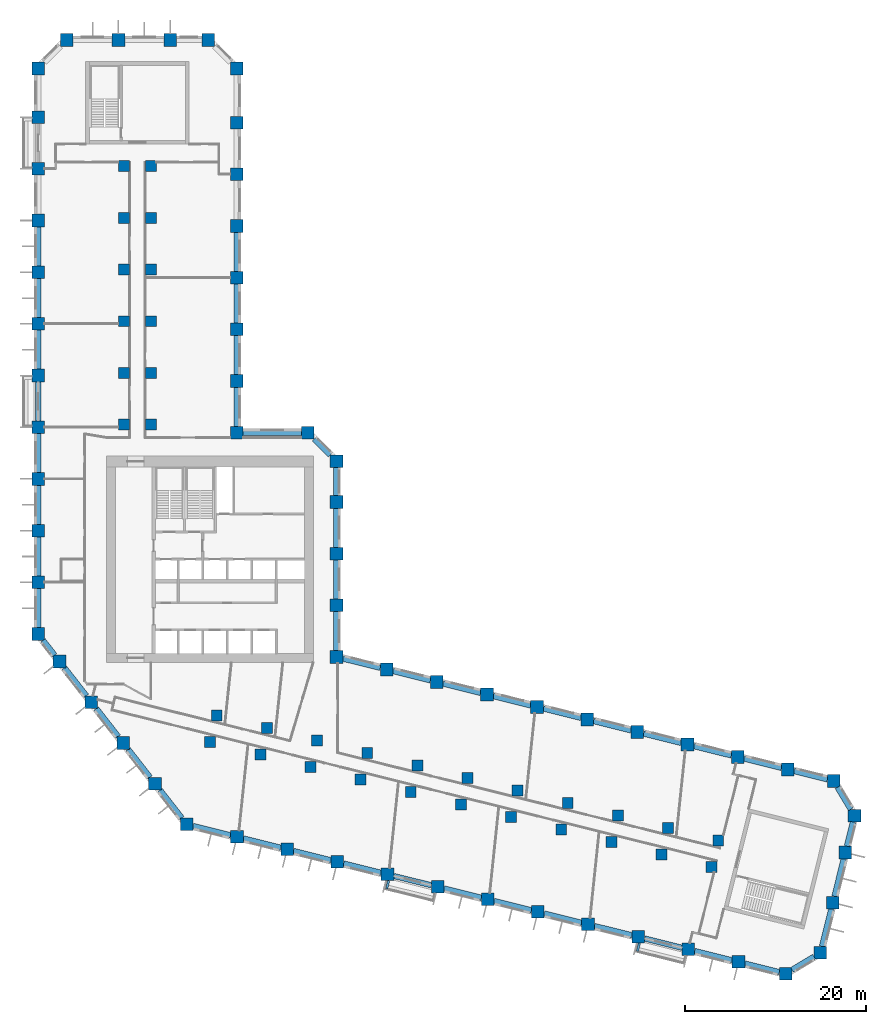
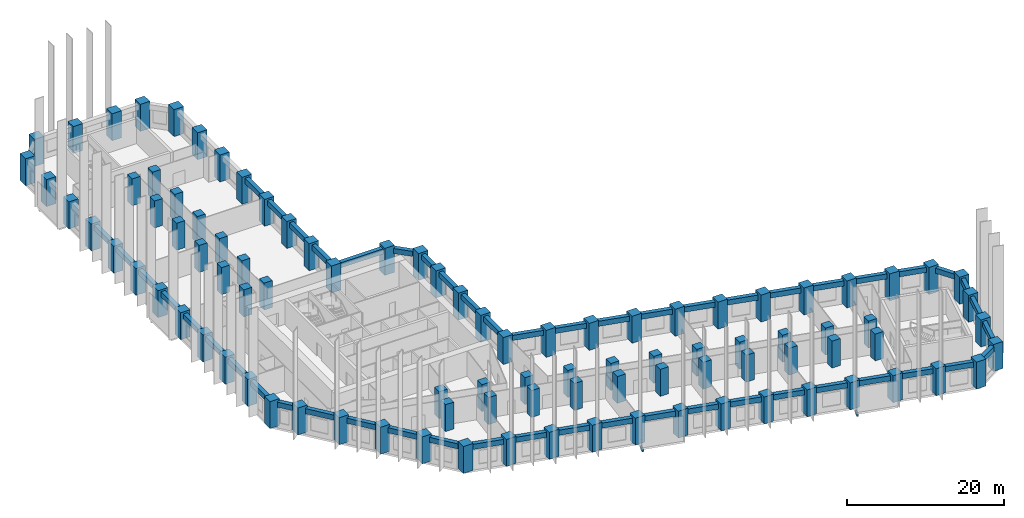
# One storey, part 1 of 11: 95 columns, 52 beams.
"""IFC4 building model written with IfcOpenShell, lengths in metres."""

from ifc_helpers import new_model, si_unit, direction, frame, origin, origin_2d, place, context, subcontext, project, spatial, rectangle, extrude, material, material_profile, profile_set, type_object, element, save


model = new_model("IFC4")

# Units and contexts
model_context = context("Model", 3, precision=1e-05, world=origin(), true_north=direction((0.0, 1.0)))
body_context = subcontext(model_context, "Body", "Model", "MODEL_VIEW")
ifc_project = project(units=[si_unit("LENGTHUNIT", "METRE"), si_unit("AREAUNIT", "SQUARE_METRE"), si_unit("VOLUMEUNIT", "CUBIC_METRE"), si_unit("PLANEANGLEUNIT", "RADIAN"), si_unit("MASSUNIT", "GRAM", prefix="KILO")], contexts=[model_context])

# Site, building, storey
site_placement = place(None, origin())
site = spatial("IfcSite", under=ifc_project, at=site_placement, CompositionType="ELEMENT")
building_placement = place(site_placement, origin())
building = spatial("IfcBuilding", under=site, at=building_placement, Name="Meshkara Civic Tower", CompositionType="ELEMENT")
storey_placement = place(building_placement, frame((0.0, 0.0, 49.800048828125)))
storey = spatial("IfcBuildingStorey", under=building, at=storey_placement, Name="L10", CompositionType="ELEMENT", Elevation=49.800048828125)

# Columns
ifc_material_1 = material(Name="Concrete C80", Category="concrete")
ifc_material_profile_1 = material_profile(ifc_material_1, rectangle(XDim=1.199951171875, YDim=1.199951171875, at=origin_2d()))
ifc_profile_set_1 = profile_set([ifc_material_profile_1], Name="Concrete C80")
column_type_1 = type_object("IfcColumnType", Name="Interior column RC 1200x1200 C80", PredefinedType="COLUMN", material=ifc_profile_set_1)
for number, where, z_axis, x_axis, name in (
    (1, (9.89990234375, 40.35009765625, 0.0), (0.0, 0.0, 1.0), (1.0, 0.0, 0.0), "Column SA1-04 L10"),
    (2, (9.89990234375, 46.050048828125, 0.0), (0.0, 0.0, 1.0), (1.0, 0.0, 0.0), "Column SA1-05 L10"),
    (3, (9.89990234375, 51.75, 0.0), (0.0, 0.0, 1.0), (1.0, 0.0, 0.0), "Column SA1-06 L10"),
    (4, (9.89990234375, 57.449951171875, 0.0), (0.0, 0.0, 1.0), (1.0, 0.0, 0.0), "Column SA1-07 L10"),
    (5, (9.89990234375, 63.14990234375, 0.0), (0.0, 0.0, 1.0), (1.0, 0.0, 0.0), "Column SA1-08 L10"),
    (6, (9.89990234375, 68.85009765625, 0.0), (0.0, 0.0, 1.0), (1.0, 0.0, 0.0), "Column SA1-09 L10"),
    (7, (12.89990234375, 40.35009765625, 0.0), (0.0, 0.0, 1.0), (1.0, 0.0, 0.0), "Column SA2-04 L10"),
    (8, (12.89990234375, 46.050048828125, 0.0), (0.0, 0.0, 1.0), (1.0, 0.0, 0.0), "Column SA2-05 L10"),
    (9, (12.89990234375, 51.75, 0.0), (0.0, 0.0, 1.0), (1.0, 0.0, 0.0), "Column SA2-06 L10"),
    (10, (12.89990234375, 57.449951171875, 0.0), (0.0, 0.0, 1.0), (1.0, 0.0, 0.0), "Column SA2-07 L10"),
    (11, (12.89990234375, 63.14990234375, 0.0), (0.0, 0.0, 1.0), (1.0, 0.0, 0.0), "Column SA2-08 L10"),
    (12, (12.89990234375, 68.85009765625, 0.0), (0.0, 0.0, 1.0), (1.0, 0.0, 0.0), "Column SA2-09 L10"),
    (13, (19.424072265625, 5.360107421875, 0.0), (0.0, 0.0, 1.0), (1.0, 0.0, 0.0), "Column SB1-00 L10"),
    (14, (24.9541015625, 3.98095703125, 0.0), (0.0, 0.0, 1.0), (1.0, 0.0, 0.0), "Column SB1-01 L10"),
    (15, (30.485107421875, 2.60205078125, 0.0), (0.0, 0.0, 1.0), (1.0, 0.0, 0.0), "Column SB1-02 L10"),
    (16, (36.01611328125, 1.222900390625, 0.0), (0.0, 0.0, 1.0), (1.0, 0.0, 0.0), "Column SB1-03 L10"),
    (17, (41.5458984375, -0.156005859375, 0.0), (0.0, 0.0, 1.0), (1.0, 0.0, 0.0), "Column SB1-04 L10"),
    (18, (47.076904296875, -1.534912109375, 0.0), (0.0, 0.0, 1.0), (1.0, 0.0, 0.0), "Column SB1-05 L10"),
    (19, (52.60791015625, -2.9140625, 0.0), (0.0, 0.0, 1.0), (1.0, 0.0, 0.0), "Column SB1-06 L10"),
    (20, (58.138916015625, -4.2919921875, 0.0), (0.0, 0.0, 1.0), (1.0, 0.0, 0.0), "Column SB1-07 L10"),
    (21, (63.6689453125, -5.6708984375, 0.0), (0.0, 0.0, 1.0), (1.0, 0.0, 0.0), "Column SB1-08 L10"),
    (22, (69.199951171875, -7.050048828125, 0.0), (0.0, 0.0, 1.0), (1.0, 0.0, 0.0), "Column SB1-09 L10"),
    (23, (74.73095703125, -8.428955078125, 0.0), (0.0, 0.0, 1.0), (1.0, 0.0, 0.0), "Column SB1-10 L10"),
    (24, (20.14892578125, 8.27099609375, 0.0), (0.0, 0.0, 1.0), (1.0, 0.0, 0.0), "Column SB2-00 L10"),
    (25, (25.679931640625, 6.89208984375, 0.0), (0.0, 0.0, 1.0), (1.0, 0.0, 0.0), "Column SB2-01 L10"),
    (26, (31.2109375, 5.512939453125, 0.0), (0.0, 0.0, 1.0), (1.0, 0.0, 0.0), "Column SB2-02 L10"),
    (27, (36.741943359375, 4.134033203125, 0.0), (0.0, 0.0, 1.0), (1.0, 0.0, 0.0), "Column SB2-03 L10"),
    (28, (42.27197265625, 2.7548828125, 0.0), (0.0, 0.0, 1.0), (1.0, 0.0, 0.0), "Column SB2-04 L10"),
    (29, (47.802978515625, 1.3759765625, 0.0), (0.0, 0.0, 1.0), (1.0, 0.0, 0.0), "Column SB2-05 L10"),
    (30, (53.333984375, -0.0029296875, 0.0), (0.0, 0.0, 1.0), (1.0, 0.0, 0.0), "Column SB2-06 L10"),
    (31, (58.864013671875, -1.382080078125, 0.0), (0.0, 0.0, 1.0), (1.0, 0.0, 0.0), "Column SB2-07 L10"),
    (32, (64.39501953125, -2.760986328125, 0.0), (0.0, 0.0, 1.0), (1.0, 0.0, 0.0), "Column SB2-08 L10"),
    (33, (69.926025390625, -4.139892578125, 0.0), (0.0, 0.0, 1.0), (1.0, 0.0, 0.0), "Column SB2-09 L10"),
    (34, (75.4560546875, -5.51806640625, 0.0), (0.0, 0.0, 1.0), (1.0, 0.0, 0.0), "Column SB2-10 L10"),
):
    element("IfcColumn", number, at=place(storey_placement, frame(where, z_axis=z_axis, x_axis=x_axis)), inside=storey, type_object=column_type_1, Name=name, PredefinedType="COLUMN", context=body_context, shape_type="SweptSolid", body=[
        extrude(rectangle(XDim=1.199951171875, YDim=1.199951171875, at=origin_2d()), origin(), (0.0, 0.0, 1.0), 4.199951171875),
    ])
ifc_material_2 = material(Name="Concrete C80", Category="concrete")
ifc_material_profile_2 = material_profile(ifc_material_2, rectangle(XDim=1.39990234375, YDim=1.39990234375, at=origin_2d()))
ifc_profile_set_2 = profile_set([ifc_material_profile_2], Name="Concrete C80")
column_type_2 = type_object("IfcColumnType", Name="Perimeter column RC 1400x1400 C80", PredefinedType="COLUMN", material=ifc_profile_set_2)
for number, where, z_axis, x_axis, name in (
    (35, (33.35009765625, 14.718994140625, 0.0), (0.0, 0.0, 1.0), (1.0, 0.0, 0.0), "Column HE00 L10"),
    (36, (33.35009765625, 20.4189453125, 0.0), (0.0, 0.0, 1.0), (1.0, 0.0, 0.0), "Column HE01 L10"),
    (37, (33.35009765625, 26.118896484375, 0.0), (0.0, 0.0, 1.0), (1.0, 0.0, 0.0), "Column HE02 L10"),
    (38, (33.35009765625, 31.819091796875, 0.0), (0.0, 0.0, 1.0), (1.0, 0.0, 0.0), "Column HE03 L10"),
    (39, (33.35009765625, 36.2939453125, 0.0), (0.0, 0.0, 1.0), (1.0, 0.0, 0.0), "Column HEE L10"),
    (40, (30.194091796875, 39.449951171875, 0.0), (0.0, 0.0, 1.0), (1.0, 0.0, 0.0), "Column HCeE L10"),
    (41, (22.35009765625, 39.449951171875, 0.0), (0.0, 0.0, 1.0), (1.0, 0.0, 0.0), "Column HN00 L10"),
    (42, (22.35009765625, 45.14990234375, 0.0), (0.0, 0.0, 1.0), (1.0, 0.0, 0.0), "Column AE01 L10"),
    (43, (22.35009765625, 50.85009765625, 0.0), (0.0, 0.0, 1.0), (1.0, 0.0, 0.0), "Column AE02 L10"),
    (44, (22.35009765625, 56.550048828125, 0.0), (0.0, 0.0, 1.0), (1.0, 0.0, 0.0), "Column AE03 L10"),
    (45, (22.35009765625, 62.25, 0.0), (0.0, 0.0, 1.0), (1.0, 0.0, 0.0), "Column AE04 L10"),
    (46, (22.35009765625, 67.949951171875, 0.0), (0.0, 0.0, 1.0), (1.0, 0.0, 0.0), "Column AE05 L10"),
    (47, (22.35009765625, 73.64990234375, 0.0), (0.0, 0.0, 1.0), (1.0, 0.0, 0.0), "Column AE06 L10"),
    (48, (22.35009765625, 79.614013671875, 0.0), (0.0, 0.0, 1.0), (1.0, 0.0, 0.0), "Column AEE L10"),
    (49, (19.194091796875, 82.77001953125, 0.0), (0.0, 0.0, 1.0), (1.0, 0.0, 0.0), "Column ATiE L10"),
    (50, (3.60595703125, 82.77001953125, 0.0), (0.0, 0.0, 1.0), (1.0, 0.0, 0.0), "Column AT00 L10"),
    (51, (9.305908203125, 82.77001953125, 0.0), (0.0, 0.0, 1.0), (1.0, 0.0, 0.0), "Column AT01 L10"),
    (52, (15.006103515625, 82.77001953125, 0.0), (0.0, 0.0, 1.0), (1.0, 0.0, 0.0), "Column AT02 L10"),
    (53, (0.449951171875, 79.614013671875, 0.0), (0.0, 0.0, 1.0), (1.0, 0.0, 0.0), "Column ATo00 L10"),
    (54, (0.449951171875, 17.2548828125, 0.0), (0.0, 0.0, 1.0), (1.0, 0.0, 0.0), "Column AW00 L10"),
    (55, (0.449951171875, 22.955078125, 0.0), (0.0, 0.0, 1.0), (1.0, 0.0, 0.0), "Column AW01 L10"),
    (56, (0.449951171875, 28.655029296875, 0.0), (0.0, 0.0, 1.0), (1.0, 0.0, 0.0), "Column AW02 L10"),
    (57, (0.449951171875, 34.35498046875, 0.0), (0.0, 0.0, 1.0), (1.0, 0.0, 0.0), "Column AW03 L10"),
    (58, (0.449951171875, 40.054931640625, 0.0), (0.0, 0.0, 1.0), (1.0, 0.0, 0.0), "Column AW04 L10"),
    (59, (0.449951171875, 45.7548828125, 0.0), (0.0, 0.0, 1.0), (1.0, 0.0, 0.0), "Column AW05 L10"),
    (60, (0.449951171875, 51.455078125, 0.0), (0.0, 0.0, 1.0), (1.0, 0.0, 0.0), "Column AW06 L10"),
    (61, (0.449951171875, 57.155029296875, 0.0), (0.0, 0.0, 1.0), (1.0, 0.0, 0.0), "Column AW07 L10"),
    (62, (0.449951171875, 62.85498046875, 0.0), (0.0, 0.0, 1.0), (1.0, 0.0, 0.0), "Column AW08 L10"),
    (63, (0.449951171875, 68.554931640625, 0.0), (0.0, 0.0, 1.0), (1.0, 0.0, 0.0), "Column AW09 L10"),
    (64, (0.449951171875, 74.2548828125, 0.0), (0.0, 0.0, 1.0), (1.0, 0.0, 0.0), "Column AW10 L10"),
    (65, (16.85107421875, -3.738037109375, 0.0), (0.0, 0.0, 1.0), (1.0, 0.0, 0.0), "Column BOW00 L10"),
    (66, (13.342041015625, 0.75390625, 0.0), (0.0, 0.0, 1.0), (1.0, 0.0, 0.0), "Column BOW01 L10"),
    (67, (9.8330078125, 5.2451171875, 0.0), (0.0, 0.0, 1.0), (1.0, 0.0, 0.0), "Column BOW02 L10"),
    (68, (6.322998046875, 9.737060546875, 0.0), (0.0, 0.0, 1.0), (1.0, 0.0, 0.0), "Column BOW03 L10"),
    (69, (2.81396484375, 14.22900390625, 0.0), (0.0, 0.0, 1.0), (1.0, 0.0, 0.0), "Column BOW04 L10"),
    (70, (22.382080078125, -5.116943359375, 0.0), (0.0, 0.0, 1.0), (1.0, 0.0, 0.0), "Column BS01 L10"),
    (71, (27.912109375, -6.49609375, 0.0), (0.0, 0.0, 1.0), (1.0, 0.0, 0.0), "Column BS02 L10"),
    (72, (33.443115234375, -7.875, 0.0), (0.0, 0.0, 1.0), (1.0, 0.0, 0.0), "Column BS03 L10"),
    (73, (38.97412109375, -9.25390625, 0.0), (0.0, 0.0, 1.0), (1.0, 0.0, 0.0), "Column BS04 L10"),
    (74, (44.5048828125, -10.632080078125, 0.0), (0.0, 0.0, 1.0), (1.0, 0.0, 0.0), "Column BS05 L10"),
    (75, (50.034912109375, -12.010986328125, 0.0), (0.0, 0.0, 1.0), (1.0, 0.0, 0.0), "Column BS06 L10"),
    (76, (55.56591796875, -13.389892578125, 0.0), (0.0, 0.0, 1.0), (1.0, 0.0, 0.0), "Column BS07 L10"),
    (77, (61.096923828125, -14.76904296875, 0.0), (0.0, 0.0, 1.0), (1.0, 0.0, 0.0), "Column BS08 L10"),
    (78, (66.626953125, -16.14794921875, 0.0), (0.0, 0.0, 1.0), (1.0, 0.0, 0.0), "Column BS09 L10"),
    (79, (72.157958984375, -17.527099609375, 0.0), (0.0, 0.0, 1.0), (1.0, 0.0, 0.0), "Column BS10 L10"),
    (80, (77.68896484375, -18.906005859375, 0.0), (0.0, 0.0, 1.0), (1.0, 0.0, 0.0), "Column BS11 L10"),
    (81, (82.887939453125, -20.201904296875, 0.0), (0.0, 0.0, 1.0), (1.0, 0.0, 0.0), "Column BSE L10"),
    (82, (86.714111328125, -17.903076171875, 0.0), (0.0, 0.0, 1.0), (1.0, 0.0, 0.0), "Column BToE L10"),
    (83, (88.093017578125, -12.3720703125, 0.0), (0.0, 0.0, 1.0), (1.0, 0.0, 0.0), "Column BT01 L10"),
    (84, (89.471923828125, -6.842041015625, 0.0), (0.0, 0.0, 1.0), (1.0, 0.0, 0.0), "Column BT02 L10"),
    (85, (90.485107421875, -2.779052734375, 0.0), (0.0, 0.0, 1.0), (1.0, 0.0, 0.0), "Column BTE L10"),
    (86, (88.18603515625, 1.0458984375, 0.0), (0.0, 0.0, 1.0), (1.0, 0.0, 0.0), "Column BTi00 L10"),
    (87, (38.881103515625, 13.340087890625, 0.0), (0.0, 0.0, 1.0), (1.0, 0.0, 0.0), "Column BN01 L10"),
    (88, (44.410888671875, 11.9609375, 0.0), (0.0, 0.0, 1.0), (1.0, 0.0, 0.0), "Column BN02 L10"),
    (89, (49.94189453125, 10.58203125, 0.0), (0.0, 0.0, 1.0), (1.0, 0.0, 0.0), "Column BN03 L10"),
    (90, (55.472900390625, 9.202880859375, 0.0), (0.0, 0.0, 1.0), (1.0, 0.0, 0.0), "Column BN04 L10"),
    (91, (61.0029296875, 7.823974609375, 0.0), (0.0, 0.0, 1.0), (1.0, 0.0, 0.0), "Column BN05 L10"),
    (92, (66.533935546875, 6.445068359375, 0.0), (0.0, 0.0, 1.0), (1.0, 0.0, 0.0), "Column BN06 L10"),
    (93, (72.06494140625, 5.06591796875, 0.0), (0.0, 0.0, 1.0), (1.0, 0.0, 0.0), "Column BN07 L10"),
    (94, (77.594970703125, 3.68701171875, 0.0), (0.0, 0.0, 1.0), (1.0, 0.0, 0.0), "Column BN08 L10"),
    (95, (83.1259765625, 2.30810546875, 0.0), (0.0, 0.0, 1.0), (1.0, 0.0, 0.0), "Column BN09 L10"),
):
    element("IfcColumn", number, at=place(storey_placement, frame(where, z_axis=z_axis, x_axis=x_axis)), inside=storey, type_object=column_type_2, Name=name, PredefinedType="COLUMN", context=body_context, shape_type="SweptSolid", body=[
        extrude(rectangle(XDim=1.39990234375, YDim=1.39990234375, at=origin_2d()), origin(), (0.0, 0.0, 1.0), 4.199951171875),
    ])

# Beams
ifc_material_3 = material(Name="Concrete C50", Category="concrete")
ifc_material_profile_3 = material_profile(ifc_material_3, rectangle(XDim=0.25, YDim=0.39990234375, at=origin_2d()))
ifc_profile_set_3 = profile_set([ifc_material_profile_3], Name="Concrete C50")
beam_type_1 = type_object("IfcBeamType", Name="Balcony bracket beam RC 250x400 C50", PredefinedType="BEAM", material=ifc_profile_set_3)
beam_1_placement = place(storey_placement, frame((39.110107421875, -9.948974609375, -0.5), z_axis=(-0.242472373608, -0.970158310812, 0.0), x_axis=(0.970158310812, -0.242472373608, 0.0)))
element("IfcBeam", 96, at=beam_1_placement, inside=storey, type_object=beam_type_1, Name="Balcony bracket beam", PredefinedType="BEAM", context=body_context, shape_type="SweptSolid", body=[
    extrude(rectangle(XDim=0.25, YDim=0.39990234375, at=origin_2d()), origin(), (0.0, 0.0, 1.0), 0.908203125),
])
beam_2_placement = place(storey_placement, frame((66.762939453125, -16.843017578125, -0.5), z_axis=(-0.241966881417, -0.970284508944, 0.0), x_axis=(0.970284508944, -0.241966881417, 0.0)))
element("IfcBeam", 97, at=beam_2_placement, inside=storey, type_object=beam_type_1, Name="Balcony bracket beam", PredefinedType="BEAM", context=body_context, shape_type="SweptSolid", body=[
    extrude(rectangle(XDim=0.25, YDim=0.39990234375, at=origin_2d()), origin(), (0.0, 0.0, 1.0), 0.9091796875),
])
ifc_material_4 = material(Name="Concrete C70", Category="concrete")
ifc_material_profile_4 = material_profile(ifc_material_4, rectangle(XDim=0.60009765625, YDim=0.800048828125, at=origin_2d()))
ifc_profile_set_4 = profile_set([ifc_material_profile_4], Name="Concrete C70")
beam_type_2 = type_object("IfcBeamType", Name="Spandrel beam RC 600x800 C70", PredefinedType="BEAM", material=ifc_profile_set_4)
beam_3_placement = place(storey_placement, frame((82.430908203125, 2.481201171875, 3.5), z_axis=(-0.97029374225, 0.241929852955, 0.0), x_axis=(-0.241929852955, -0.97029374225, 0.0)))
element("IfcBeam", 98, at=beam_3_placement, inside=storey, type_object=beam_type_2, Name="Spandrel beam BN08-BN09", PredefinedType="BEAM", context=body_context, shape_type="SweptSolid", body=[
    extrude(rectangle(XDim=0.60009765625, YDim=0.800048828125, at=origin_2d()), origin(), (0.0, 0.0, 1.0), 4.267578125),
])
beam_4_placement = place(storey_placement, frame((76.89990234375, 3.8603515625, 3.5), z_axis=(-0.970293777887, 0.241929710026, 0.0), x_axis=(-0.241929710026, -0.970293777887, 0.0)))
element("IfcBeam", 99, at=beam_4_placement, inside=storey, type_object=beam_type_2, Name="Spandrel beam BN07-BN08", PredefinedType="BEAM", context=body_context, shape_type="SweptSolid", body=[
    extrude(rectangle(XDim=0.60009765625, YDim=0.800048828125, at=origin_2d()), origin(), (0.0, 0.0, 1.0), 4.2666015625),
])
for number, where, z_axis, x_axis, name in (
    (100, (71.369873046875, 5.2392578125, 3.5), (-0.97029374225, 0.241929852955, 0.0), (-0.241929852955, -0.97029374225, 0.0), "Spandrel beam BN06-BN07"),
    (101, (65.8388671875, 6.618408203125, 3.5), (-0.970307169965, 0.241875992843, 0.0), (-0.241875992843, -0.970307169965, 0.0), "Spandrel beam BN05-BN06"),
):
    element("IfcBeam", number, at=place(storey_placement, frame(where, z_axis=z_axis, x_axis=x_axis)), inside=storey, type_object=beam_type_2, Name=name, PredefinedType="BEAM", context=body_context, shape_type="SweptSolid", body=[
        extrude(rectangle(XDim=0.60009765625, YDim=0.800048828125, at=origin_2d()), origin(), (0.0, 0.0, 1.0), 4.267578125),
    ])
beam_5_placement = place(storey_placement, frame((60.307861328125, 7.997314453125, 3.5), z_axis=(-0.970276993533, 0.241997016139, 0.0), x_axis=(-0.241997016139, -0.970276993533, 0.0)))
element("IfcBeam", 102, at=beam_5_placement, inside=storey, type_object=beam_type_2, Name="Spandrel beam BN04-BN05", PredefinedType="BEAM", context=body_context, shape_type="SweptSolid", body=[
    extrude(rectangle(XDim=0.60009765625, YDim=0.800048828125, at=origin_2d()), origin(), (0.0, 0.0, 1.0), 4.266357421875),
])
for number, where, z_axis, x_axis, name in (
    (103, (54.77783203125, 9.376220703125, 3.5), (-0.970290393622, 0.241943282702, 0.0), (-0.241943282702, -0.970290393622, 0.0), "Spandrel beam BN03-BN04"),
    (104, (49.246826171875, 10.75537109375, 3.5), (-0.970303822782, 0.241889419972, 0.0), (-0.241889419972, -0.970303822782, 0.0), "Spandrel beam BN02-BN03"),
):
    element("IfcBeam", number, at=place(storey_placement, frame(where, z_axis=z_axis, x_axis=x_axis)), inside=storey, type_object=beam_type_2, Name=name, PredefinedType="BEAM", context=body_context, shape_type="SweptSolid", body=[
        extrude(rectangle(XDim=0.60009765625, YDim=0.800048828125, at=origin_2d()), origin(), (0.0, 0.0, 1.0), 4.267333984375),
    ])
beam_6_placement = place(storey_placement, frame((43.7158203125, 12.13427734375, 3.5), z_axis=(-0.970276993533, 0.241997016139, 0.0), x_axis=(-0.241997016139, -0.970276993533, 0.0)))
element("IfcBeam", 105, at=beam_6_placement, inside=storey, type_object=beam_type_2, Name="Spandrel beam BN01-BN02", PredefinedType="BEAM", context=body_context, shape_type="SweptSolid", body=[
    extrude(rectangle(XDim=0.60009765625, YDim=0.800048828125, at=origin_2d()), origin(), (0.0, 0.0, 1.0), 4.266357421875),
])
beam_7_placement = place(storey_placement, frame((38.185791015625, 13.51318359375, 3.5), z_axis=(-0.970290393622, 0.241943282702, 0.0), x_axis=(-0.241943282702, -0.970290393622, 0.0)))
element("IfcBeam", 106, at=beam_7_placement, inside=storey, type_object=beam_type_2, Name="Spandrel beam BN01-HE00", PredefinedType="BEAM", context=body_context, shape_type="SweptSolid", body=[
    extrude(rectangle(XDim=0.60009765625, YDim=0.800048828125, at=origin_2d()), origin(), (0.0, 0.0, 1.0), 4.267333984375),
])
for number, where, z_axis, x_axis, name in (
    (107, (33.35009765625, 15.4140625, 3.5), (0.0, 1.0, 0.0), (-1.0, 0.0, 0.0), "Spandrel beam HE00-HE01"),
    (108, (33.35009765625, 21.114013671875, 3.5), (0.0, 1.0, 0.0), (-1.0, 0.0, 0.0), "Spandrel beam HE01-HE02"),
    (109, (33.35009765625, 26.81396484375, 3.5), (0.0, 1.0, 0.0), (-1.0, 0.0, 0.0), "Spandrel beam HE02-HE03"),
):
    element("IfcBeam", number, at=place(storey_placement, frame(where, z_axis=z_axis, x_axis=x_axis)), inside=storey, type_object=beam_type_2, Name=name, PredefinedType="BEAM", context=body_context, shape_type="SweptSolid", body=[
        extrude(rectangle(XDim=0.60009765625, YDim=0.800048828125, at=origin_2d()), origin(), (0.0, 0.0, 1.0), 4.31005859375),
    ])
beam_8_placement = place(storey_placement, frame((33.35009765625, 32.513916015625, 3.5), z_axis=(0.0, 1.0, 0.0), x_axis=(-1.0, 0.0, 0.0)))
element("IfcBeam", 110, at=beam_8_placement, inside=storey, type_object=beam_type_2, Name="Spandrel beam HE03-HEE", PredefinedType="BEAM", context=body_context, shape_type="SweptSolid", body=[
    extrude(rectangle(XDim=0.60009765625, YDim=0.800048828125, at=origin_2d()), origin(), (0.0, 0.0, 1.0), 3.085205078125),
])
beam_9_placement = place(storey_placement, frame((32.653564453125, 36.990478515625, 3.5), z_axis=(-0.707155737934, 0.70705782105, 0.0), x_axis=(-0.70705782105, -0.707155737934, 0.0)))
element("IfcBeam", 111, at=beam_9_placement, inside=storey, type_object=beam_type_2, Name="Spandrel beam HCeE-HEE", PredefinedType="BEAM", context=body_context, shape_type="SweptSolid", body=[
    extrude(rectangle(XDim=0.60009765625, YDim=0.800048828125, at=origin_2d()), origin(), (0.0, 0.0, 1.0), 2.493408203125),
])
beam_10_placement = place(storey_placement, frame((29.4990234375, 39.449951171875, 3.5), z_axis=(-1.0, 0.0, 0.0), x_axis=(0.0, -1.0, 0.0)))
element("IfcBeam", 112, at=beam_10_placement, inside=storey, type_object=beam_type_2, Name="Spandrel beam HCeE-HN00", PredefinedType="BEAM", context=body_context, shape_type="SweptSolid", body=[
    extrude(rectangle(XDim=0.60009765625, YDim=0.800048828125, at=origin_2d()), origin(), (0.0, 0.0, 1.0), 6.4541015625),
])
for number, where, z_axis, x_axis, name in (
    (113, (22.35009765625, 40.14501953125, 3.5), (0.0, 1.0, 0.0), (-1.0, 0.0, 0.0), "Spandrel beam AE01-HN00"),
    (114, (22.35009765625, 45.844970703125, 3.5), (0.0, 1.0, 0.0), (-1.0, 0.0, 0.0), "Spandrel beam AE01-AE02"),
    (115, (22.35009765625, 51.544921875, 3.5), (0.0, 1.0, 0.0), (-1.0, 0.0, 0.0), "Spandrel beam AE02-AE03"),
):
    element("IfcBeam", number, at=place(storey_placement, frame(where, z_axis=z_axis, x_axis=x_axis)), inside=storey, type_object=beam_type_2, Name=name, PredefinedType="BEAM", context=body_context, shape_type="SweptSolid", body=[
        extrude(rectangle(XDim=0.60009765625, YDim=0.800048828125, at=origin_2d()), origin(), (0.0, 0.0, 1.0), 4.31005859375),
    ])
for number, where, z_axis, x_axis, name in (
    (116, (22.35009765625, 57.2451171875, 3.5), (0.0, 1.0, 0.0), (-1.0, 0.0, 0.0), "Spandrel beam AE03-AE04"),
    (117, (0.449951171875, 62.159912109375, 3.5), (0.0, -1.0, 0.0), (1.0, 0.0, 0.0), "Spandrel beam AW07-AW08"),
):
    element("IfcBeam", number, at=place(storey_placement, frame(where, z_axis=z_axis, x_axis=x_axis)), inside=storey, type_object=beam_type_2, Name=name, PredefinedType="BEAM", context=body_context, shape_type="SweptSolid", body=[
        extrude(rectangle(XDim=0.60009765625, YDim=0.800048828125, at=origin_2d()), origin(), (0.0, 0.0, 1.0), 4.309814453125),
    ])
for number, where, z_axis, x_axis, name in (
    (118, (0.449951171875, 56.4599609375, 3.5), (0.0, -1.0, 0.0), (1.0, 0.0, 0.0), "Spandrel beam AW06-AW07"),
    (119, (0.449951171875, 50.760009765625, 3.5), (0.0, -1.0, 0.0), (1.0, 0.0, 0.0), "Spandrel beam AW05-AW06"),
    (120, (0.449951171875, 45.06005859375, 3.5), (0.0, -1.0, 0.0), (1.0, 0.0, 0.0), "Spandrel beam AW04-AW05"),
    (121, (0.449951171875, 39.360107421875, 3.5), (0.0, -1.0, 0.0), (1.0, 0.0, 0.0), "Spandrel beam AW03-AW04"),
):
    element("IfcBeam", number, at=place(storey_placement, frame(where, z_axis=z_axis, x_axis=x_axis)), inside=storey, type_object=beam_type_2, Name=name, PredefinedType="BEAM", context=body_context, shape_type="SweptSolid", body=[
        extrude(rectangle(XDim=0.60009765625, YDim=0.800048828125, at=origin_2d()), origin(), (0.0, 0.0, 1.0), 4.31005859375),
    ])
beam_11_placement = place(storey_placement, frame((0.449951171875, 33.659912109375, 3.5), z_axis=(0.0, -1.0, 0.0), x_axis=(1.0, 0.0, 0.0)))
element("IfcBeam", 122, at=beam_11_placement, inside=storey, type_object=beam_type_2, Name="Spandrel beam AW02-AW03", PredefinedType="BEAM", context=body_context, shape_type="SweptSolid", body=[
    extrude(rectangle(XDim=0.60009765625, YDim=0.800048828125, at=origin_2d()), origin(), (0.0, 0.0, 1.0), 4.309814453125),
])
for number, where, z_axis, x_axis, name in (
    (123, (0.449951171875, 27.9599609375, 3.5), (0.0, -1.0, 0.0), (1.0, 0.0, 0.0), "Spandrel beam AW01-AW02"),
    (124, (0.449951171875, 22.260009765625, 3.5), (0.0, -1.0, 0.0), (1.0, 0.0, 0.0), "Spandrel beam AW00-AW01"),
):
    element("IfcBeam", number, at=place(storey_placement, frame(where, z_axis=z_axis, x_axis=x_axis)), inside=storey, type_object=beam_type_2, Name=name, PredefinedType="BEAM", context=body_context, shape_type="SweptSolid", body=[
        extrude(rectangle(XDim=0.60009765625, YDim=0.800048828125, at=origin_2d()), origin(), (0.0, 0.0, 1.0), 4.31005859375),
    ])
beam_12_placement = place(storey_placement, frame((0.993896484375, 16.558837890625, 3.5), z_axis=(0.615634901283, -0.788031514803, 0.0), x_axis=(0.788031514803, 0.615634901283, 0.0)))
element("IfcBeam", 125, at=beam_12_placement, inside=storey, type_object=beam_type_2, Name="Spandrel beam AW00-BOW04", PredefinedType="BEAM", context=body_context, shape_type="SweptSolid", body=[
    extrude(rectangle(XDim=0.60009765625, YDim=0.800048828125, at=origin_2d()), origin(), (0.0, 0.0, 1.0), 2.0732421875),
])
beam_13_placement = place(storey_placement, frame((3.357666015625, 13.532958984375, 3.5), z_axis=(0.615623566685, -0.788040369614, 0.0), x_axis=(0.788040369614, 0.615623566685, 0.0)))
element("IfcBeam", 126, at=beam_13_placement, inside=storey, type_object=beam_type_2, Name="Spandrel beam BOW03-BOW04", PredefinedType="BEAM", context=body_context, shape_type="SweptSolid", body=[
    extrude(rectangle(XDim=0.60009765625, YDim=0.800048828125, at=origin_2d()), origin(), (0.0, 0.0, 1.0), 3.93359375),
])
beam_14_placement = place(storey_placement, frame((6.866943359375, 9.041015625, 3.5), z_axis=(0.61570064363, -0.787980150406, 0.0), x_axis=(0.787980150406, 0.61570064363, 0.0)))
element("IfcBeam", 127, at=beam_14_placement, inside=storey, type_object=beam_type_2, Name="Spandrel beam BOW02-BOW03", PredefinedType="BEAM", context=body_context, shape_type="SweptSolid", body=[
    extrude(rectangle(XDim=0.60009765625, YDim=0.800048828125, at=origin_2d()), origin(), (0.0, 0.0, 1.0), 3.933837890625),
])
beam_15_placement = place(storey_placement, frame((10.376953125, 4.548828125, 3.5), z_axis=(0.615697051917, -0.787982956834, 0.0), x_axis=(0.787982956834, 0.615697051917, 0.0)))
element("IfcBeam", 128, at=beam_15_placement, inside=storey, type_object=beam_type_2, Name="Spandrel beam BOW01-BOW02", PredefinedType="BEAM", context=body_context, shape_type="SweptSolid", body=[
    extrude(rectangle(XDim=0.60009765625, YDim=0.800048828125, at=origin_2d()), origin(), (0.0, 0.0, 1.0), 3.932373046875),
])
beam_16_placement = place(storey_placement, frame((13.8857421875, 0.057861328125, 3.5), z_axis=(0.615623566685, -0.788040369614, 0.0), x_axis=(0.788040369614, 0.615623566685, 0.0)))
element("IfcBeam", 129, at=beam_16_placement, inside=storey, type_object=beam_type_2, Name="Spandrel beam BOW00-BOW01", PredefinedType="BEAM", context=body_context, shape_type="SweptSolid", body=[
    extrude(rectangle(XDim=0.60009765625, YDim=0.800048828125, at=origin_2d()), origin(), (0.0, 0.0, 1.0), 3.93359375),
])
beam_17_placement = place(storey_placement, frame((17.546142578125, -3.911376953125, 3.5), z_axis=(0.970307169965, -0.241875992843, 0.0), x_axis=(0.241875992843, 0.970307169965, 0.0)))
element("IfcBeam", 130, at=beam_17_placement, inside=storey, type_object=beam_type_2, Name="Spandrel beam BOW00-BS01", PredefinedType="BEAM", context=body_context, shape_type="SweptSolid", body=[
    extrude(rectangle(XDim=0.60009765625, YDim=0.800048828125, at=origin_2d()), origin(), (0.0, 0.0, 1.0), 4.267578125),
])
beam_18_placement = place(storey_placement, frame((23.0771484375, -5.290283203125, 3.5), z_axis=(0.970276993533, -0.241997016139, 0.0), x_axis=(0.241997016139, 0.970276993533, 0.0)))
element("IfcBeam", 131, at=beam_18_placement, inside=storey, type_object=beam_type_2, Name="Spandrel beam BS01-BS02", PredefinedType="BEAM", context=body_context, shape_type="SweptSolid", body=[
    extrude(rectangle(XDim=0.60009765625, YDim=0.800048828125, at=origin_2d()), origin(), (0.0, 0.0, 1.0), 4.266357421875),
])
for number, where, z_axis, x_axis, name in (
    (132, (28.607177734375, -6.669189453125, 3.5), (0.970290393622, -0.241943282702, 0.0), (0.241943282702, 0.970290393622, 0.0), "Spandrel beam BS02-BS03"),
    (133, (34.13818359375, -8.04833984375, 3.5), (0.970290393622, -0.241943282702, 0.0), (0.241943282702, 0.970290393622, 0.0), "Spandrel beam BS03-BS04"),
):
    element("IfcBeam", number, at=place(storey_placement, frame(where, z_axis=z_axis, x_axis=x_axis)), inside=storey, type_object=beam_type_2, Name=name, PredefinedType="BEAM", context=body_context, shape_type="SweptSolid", body=[
        extrude(rectangle(XDim=0.60009765625, YDim=0.800048828125, at=origin_2d()), origin(), (0.0, 0.0, 1.0), 4.267333984375),
    ])
beam_19_placement = place(storey_placement, frame((39.669189453125, -9.42724609375, 3.5), z_axis=(0.97034409455, -0.241727818365, 0.0), x_axis=(0.241727818365, 0.97034409455, 0.0)))
element("IfcBeam", 134, at=beam_19_placement, inside=storey, type_object=beam_type_2, Name="Spandrel beam BS04-BS05", PredefinedType="BEAM", context=body_context, shape_type="SweptSolid", body=[
    extrude(rectangle(XDim=0.60009765625, YDim=0.800048828125, at=origin_2d()), origin(), (0.0, 0.0, 1.0), 4.26708984375),
])
beam_20_placement = place(storey_placement, frame((45.2001953125, -10.805419921875, 3.5), z_axis=(0.970290428474, -0.241943142934, 0.0), x_axis=(0.241943142934, 0.970290428474, 0.0)))
element("IfcBeam", 135, at=beam_20_placement, inside=storey, type_object=beam_type_2, Name="Spandrel beam BS05-BS06", PredefinedType="BEAM", context=body_context, shape_type="SweptSolid", body=[
    extrude(rectangle(XDim=0.60009765625, YDim=0.800048828125, at=origin_2d()), origin(), (0.0, 0.0, 1.0), 4.266357421875),
])
for number, where, z_axis, x_axis, name in (
    (136, (50.72998046875, -12.184326171875, 3.5), (0.97029374225, -0.241929852955, 0.0), (0.241929852955, 0.97029374225, 0.0), "Spandrel beam BS06-BS07"),
    (137, (56.260986328125, -13.563232421875, 3.5), (0.97029374225, -0.241929852955, 0.0), (0.241929852955, 0.97029374225, 0.0), "Spandrel beam BS07-BS08"),
):
    element("IfcBeam", number, at=place(storey_placement, frame(where, z_axis=z_axis, x_axis=x_axis)), inside=storey, type_object=beam_type_2, Name=name, PredefinedType="BEAM", context=body_context, shape_type="SweptSolid", body=[
        extrude(rectangle(XDim=0.60009765625, YDim=0.800048828125, at=origin_2d()), origin(), (0.0, 0.0, 1.0), 4.267578125),
    ])
beam_21_placement = place(storey_placement, frame((61.7919921875, -14.9423828125, 3.5), z_axis=(0.970293777887, -0.241929710026, 0.0), x_axis=(0.241929710026, 0.970293777887, 0.0)))
element("IfcBeam", 138, at=beam_21_placement, inside=storey, type_object=beam_type_2, Name="Spandrel beam BS08-BS09", PredefinedType="BEAM", context=body_context, shape_type="SweptSolid", body=[
    extrude(rectangle(XDim=0.60009765625, YDim=0.800048828125, at=origin_2d()), origin(), (0.0, 0.0, 1.0), 4.2666015625),
])
for number, where, z_axis, x_axis, name in (
    (139, (67.322021484375, -16.3212890625, 3.5), (0.97029374225, -0.241929852955, 0.0), (0.241929852955, 0.97029374225, 0.0), "Spandrel beam BS09-BS10"),
    (140, (72.85302734375, -17.7001953125, 3.5), (0.97029374225, -0.241929852955, 0.0), (0.241929852955, 0.97029374225, 0.0), "Spandrel beam BS10-BS11"),
):
    element("IfcBeam", number, at=place(storey_placement, frame(where, z_axis=z_axis, x_axis=x_axis)), inside=storey, type_object=beam_type_2, Name=name, PredefinedType="BEAM", context=body_context, shape_type="SweptSolid", body=[
        extrude(rectangle(XDim=0.60009765625, YDim=0.800048828125, at=origin_2d()), origin(), (0.0, 0.0, 1.0), 4.267578125),
    ])
beam_22_placement = place(storey_placement, frame((78.384033203125, -19.079345703125, 3.5), z_axis=(0.970306910921, -0.241877032022, 0.0), x_axis=(0.241877032022, 0.970306910921, 0.0)))
element("IfcBeam", 141, at=beam_22_placement, inside=storey, type_object=beam_type_2, Name="Spandrel beam BS11-BSE", PredefinedType="BEAM", context=body_context, shape_type="SweptSolid", body=[
    extrude(rectangle(XDim=0.60009765625, YDim=0.800048828125, at=origin_2d()), origin(), (0.0, 0.0, 1.0), 3.92529296875),
])
beam_23_placement = place(storey_placement, frame((83.583740234375, -19.783935546875, 3.5), z_axis=(0.857159031547, 0.515051836846, 0.0), x_axis=(-0.515051836846, 0.857159031547, 0.0)))
element("IfcBeam", 142, at=beam_23_placement, inside=storey, type_object=beam_type_2, Name="Spandrel beam BSE-BToE", PredefinedType="BEAM", context=body_context, shape_type="SweptSolid", body=[
    extrude(rectangle(XDim=0.60009765625, YDim=0.800048828125, at=origin_2d()), origin(), (0.0, 0.0, 1.0), 2.84033203125),
])
beam_24_placement = place(storey_placement, frame((86.88720703125, -17.2080078125, 3.5), z_axis=(0.241929852955, 0.97029374225, 0.0), x_axis=(-0.97029374225, 0.241929852955, 0.0)))
element("IfcBeam", 143, at=beam_24_placement, inside=storey, type_object=beam_type_2, Name="Spandrel beam BT01-BToE", PredefinedType="BEAM", context=body_context, shape_type="SweptSolid", body=[
    extrude(rectangle(XDim=0.60009765625, YDim=0.800048828125, at=origin_2d()), origin(), (0.0, 0.0, 1.0), 4.267578125),
])
beam_25_placement = place(storey_placement, frame((88.266357421875, -11.677001953125, 3.5), z_axis=(0.241929710026, 0.970293777887, 0.0), x_axis=(-0.970293777887, 0.241929710026, 0.0)))
element("IfcBeam", 144, at=beam_25_placement, inside=storey, type_object=beam_type_2, Name="Spandrel beam BT01-BT02", PredefinedType="BEAM", context=body_context, shape_type="SweptSolid", body=[
    extrude(rectangle(XDim=0.60009765625, YDim=0.800048828125, at=origin_2d()), origin(), (0.0, 0.0, 1.0), 4.2666015625),
])
beam_26_placement = place(storey_placement, frame((89.645263671875, -6.14697265625, 3.5), z_axis=(0.241951685637, 0.9702882983, 0.0), x_axis=(-0.9702882983, 0.241951685637, 0.0)))
element("IfcBeam", 145, at=beam_26_placement, inside=storey, type_object=beam_type_2, Name="Spandrel beam BT02-BTE", PredefinedType="BEAM", context=body_context, shape_type="SweptSolid", body=[
    extrude(rectangle(XDim=0.60009765625, YDim=0.800048828125, at=origin_2d()), origin(), (0.0, 0.0, 1.0), 2.754638671875),
])
beam_27_placement = place(storey_placement, frame((90.06689453125, -2.083251953125, 3.5), z_axis=(-0.515140502895, 0.85710574743, 0.0), x_axis=(-0.85710574743, -0.515140502895, 0.0)))
element("IfcBeam", 146, at=beam_27_placement, inside=storey, type_object=beam_type_2, Name="Spandrel beam BTE-BTi00", PredefinedType="BEAM", context=body_context, shape_type="SweptSolid", body=[
    extrude(rectangle(XDim=0.60009765625, YDim=0.800048828125, at=origin_2d()), origin(), (0.0, 0.0, 1.0), 2.83935546875),
])
beam_28_placement = place(storey_placement, frame((87.490966796875, 1.219482421875, 3.5), z_axis=(-0.97029418893, 0.241928061476, 0.0), x_axis=(-0.241928061476, -0.97029418893, 0.0)))
element("IfcBeam", 147, at=beam_28_placement, inside=storey, type_object=beam_type_2, Name="Spandrel beam BN09-BTi00", PredefinedType="BEAM", context=body_context, shape_type="SweptSolid", body=[
    extrude(rectangle(XDim=0.60009765625, YDim=0.800048828125, at=origin_2d()), origin(), (0.0, 0.0, 1.0), 3.7822265625),
])

save(model, "model.ifc")
